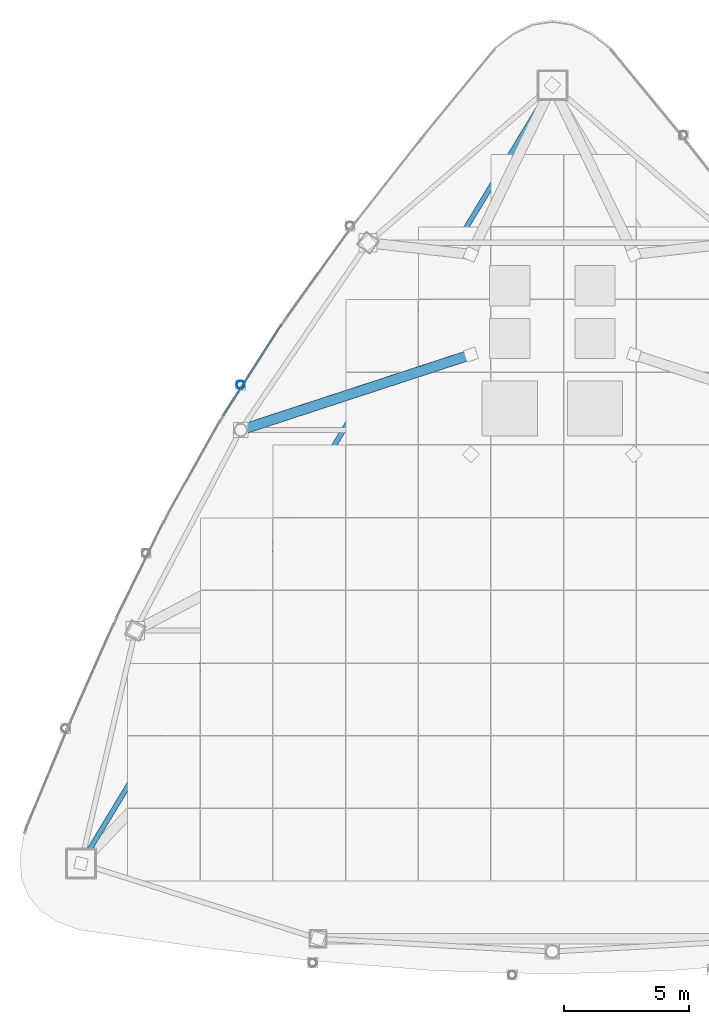
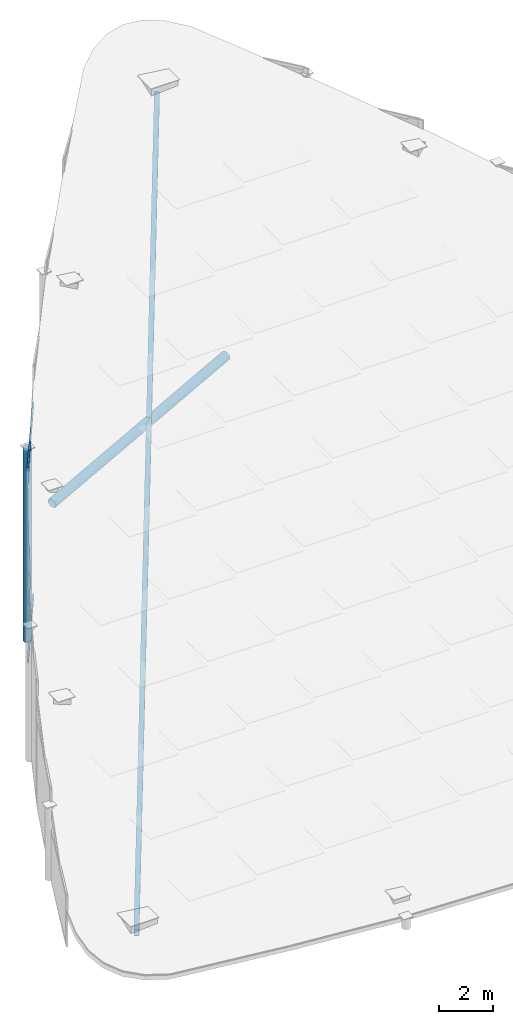
# One storey, part 7 of 21: 5 members, 1 element without a shape of its own.
"""IFC4 building model written with IfcOpenShell, lengths in metres."""

from ifc_helpers import new_model, si_unit, direction, frame, origin, origin_2d, place, context, subcontext, project, spatial, hollow_rectangle, hollow_circle, extrude, material, layer, layer_set, material_profile, profile_set, type_object, element, aggregate, save


model = new_model("IFC4")

# Units and contexts
model_context = context("Model", 3, precision=1e-05, world=origin(), true_north=direction((0.0, 1.0)))
body_context = subcontext(model_context, "Body", "Model", "MODEL_VIEW")
ifc_project = project(units=[si_unit("LENGTHUNIT", "METRE"), si_unit("AREAUNIT", "SQUARE_METRE"), si_unit("VOLUMEUNIT", "CUBIC_METRE"), si_unit("PLANEANGLEUNIT", "RADIAN"), si_unit("MASSUNIT", "GRAM", prefix="KILO")], contexts=[model_context])

# Site, building, storey
site_placement = place(None, origin())
site = spatial("IfcSite", under=ifc_project, at=site_placement, CompositionType="ELEMENT")
building_placement = place(site_placement, origin())
building = spatial("IfcBuilding", under=site, at=building_placement, Name="Orvanel Arch Residences", CompositionType="ELEMENT")
storey_placement = place(building_placement, frame((0.0, 0.0, 314.89990234375)))
storey = spatial("IfcBuildingStorey", under=building, at=storey_placement, Name="RF", CompositionType="ELEMENT", Elevation=314.89990234375)

# Members
ifc_material_1 = material(Name="Structural steel AS/NZS 1163 C350L0 (Grade 350)", Category="steel")
ifc_material_profile_1 = material_profile(ifc_material_1, hollow_rectangle(XDim=0.199951171875, YDim=0.39990234375, WallThickness=0.012451171875, at=origin_2d()), Name="RHS400x200x12.5")
ifc_profile_set_1 = profile_set([ifc_material_profile_1], Name="Structural steel AS/NZS 1163 C350L0 (Grade 350)")
member_type_1 = type_object("IfcMemberType", Name="RF-400RHS-EXT", PredefinedType="RAFTER", material=ifc_profile_set_1)
member_1_placement = place(storey_placement, frame((14.198974609375, 10.35107421875, 0.59521484375), z_axis=(0.489929498679, 0.809039910764, 0.324689866049), x_axis=(-0.855384164232, 0.51799414242, 0.0)))
element("IfcMember", 1, at=member_1_placement, inside=storey, type_object=member_type_1, Name="RF Slanted Crown Structural Soffit Rafter 04", PredefinedType="RAFTER", context=body_context, shape_type="SweptSolid", body=[
    extrude(hollow_rectangle(XDim=0.199951171875, YDim=0.39990234375, WallThickness=0.012451171875, at=origin_2d()), origin(), (0.0, 0.0, 1.0), 38.375),
])
ifc_material_profile_2 = material_profile(ifc_material_1, hollow_circle(Radius=0.202880859375, WallThickness=0.01611328125, at=origin_2d()), Name="CHS406x16")
ifc_profile_set_2 = profile_set([ifc_material_profile_2], Name="Structural steel AS/NZS 1163 C350L0 (Grade 350)")
member_type_2 = type_object("IfcMemberType", Name="RF-406CHS-EXT", PredefinedType="RAFTER", material=ifc_profile_set_2)
member_2_placement = place(storey_placement, frame((20.569091796875, 27.64111328125, 7.2880859375), z_axis=(0.936725725716, 0.30698598175, 0.168239477503), x_axis=(-0.311424985842, 0.950270739418, 0.0)))
element("IfcMember", 2, at=member_2_placement, inside=storey, type_object=member_type_2, Name="RF Slanted Crown Structural Soffit Rafter 15", PredefinedType="RAFTER", context=body_context, shape_type="SweptSolid", body=[
    extrude(hollow_circle(Radius=0.202880859375, WallThickness=0.01611328125, at=origin_2d()), origin(), (0.0, 0.0, 1.0), 9.801025390625),
])
ifc_material_profile_3 = material_profile(ifc_material_1, hollow_circle(Radius=0.162109375, WallThickness=0.0126953125, at=origin_2d()), Name="CHS324x12.7")
ifc_profile_set_3 = profile_set([ifc_material_profile_3], Name="Structural steel AS/NZS 1163 C350L0 (Grade 350)")
member_type_3 = type_object("IfcMemberType", Name="ST-324CHS-EXT", PredefinedType="STRUT", material=ifc_profile_set_3)
member_3_placement = place(storey_placement, frame((20.56201171875, 29.446044921875, 0.0), z_axis=(0.0, 0.0, 1.0), x_axis=(1.0, 0.0, 0.0)))
element("IfcMember", 3, at=member_3_placement, inside=storey, type_object=member_type_3, Name="RF Crown Outer Perimeter Frame Post 02", PredefinedType="STRUT", context=body_context, shape_type="SweptSolid", body=[
    extrude(hollow_circle(Radius=0.162109375, WallThickness=0.0126953125, at=origin_2d()), origin(), (0.0, 0.0, 1.0), 8.76611328125),
])

# Curtain wall, members
ifc_material_2 = material(Name="Bronze-anodised aluminium AA6063-T6", Category="aluminium")
ifc_layer = layer(ifc_material_2, 0.2099609375)
ifc_layer_set = layer_set([ifc_layer], Name="Bronze-anodised aluminium AA6063-T6")
curtain_wall_type = type_object("IfcCurtainWallType", Name="CW7-TOP-SYS", PredefinedType="NOTDEFINED", material=ifc_layer_set)
curtain_wall_placement = place(storey_placement, origin())
curtain_wall = element("IfcCurtainWall", 4, at=curtain_wall_placement, inside=storey, type_object=curtain_wall_type, Name="RF CW7-TOP-SYS Unitised Curtain Wall", PredefinedType="NOTDEFINED")
ifc_material_profile_4 = material_profile(ifc_material_2, hollow_rectangle(XDim=0.06494140625, YDim=0.14990234375, WallThickness=0.00390625, at=origin_2d()), Name="ALU150x65x4")
ifc_profile_set_4 = profile_set([ifc_material_profile_4], Name="Bronze-anodised aluminium AA6063-T6")
member_type_4 = type_object("IfcMemberType", Name="TRN-150x65", PredefinedType="USERDEFINED", material=ifc_profile_set_4)
member_4_placement = place(storey_placement, frame((22.18359375, 31.827880859375, 0.03271484375), z_axis=(-0.539724060604, -0.841841991353, 0.0), x_axis=(0.841841991353, -0.539724060604, 0.0)))
member_4 = element("IfcMember", 5, at=member_4_placement, type_object=member_type_4, Name="CW-S7 transom 1.1", ObjectType="TRANSOM", PredefinedType="USERDEFINED", context=body_context, shape_type="SweptSolid", body=[
    extrude(hollow_rectangle(XDim=0.06494140625, YDim=0.14990234375, WallThickness=0.00390625, at=origin_2d()), origin(), (0.0, 0.0, 1.0), 4.287841796875),
])
member_5_placement = place(storey_placement, frame((22.18359375, 31.827880859375, 8.711669921875), z_axis=(-0.539724060604, -0.841841991353, 0.0), x_axis=(0.841841991353, -0.539724060604, 0.0)))
member_5 = element("IfcMember", 6, at=member_5_placement, type_object=member_type_4, Name="CW-S7 transom 1.2", ObjectType="TRANSOM", PredefinedType="USERDEFINED", context=body_context, shape_type="SweptSolid", body=[
    extrude(hollow_rectangle(XDim=0.06494140625, YDim=0.14990234375, WallThickness=0.00390625, at=origin_2d()), origin(), (0.0, 0.0, 1.0), 4.287841796875),
])
aggregate(curtain_wall, [member_4, member_5])

save(model, "model.ifc")
